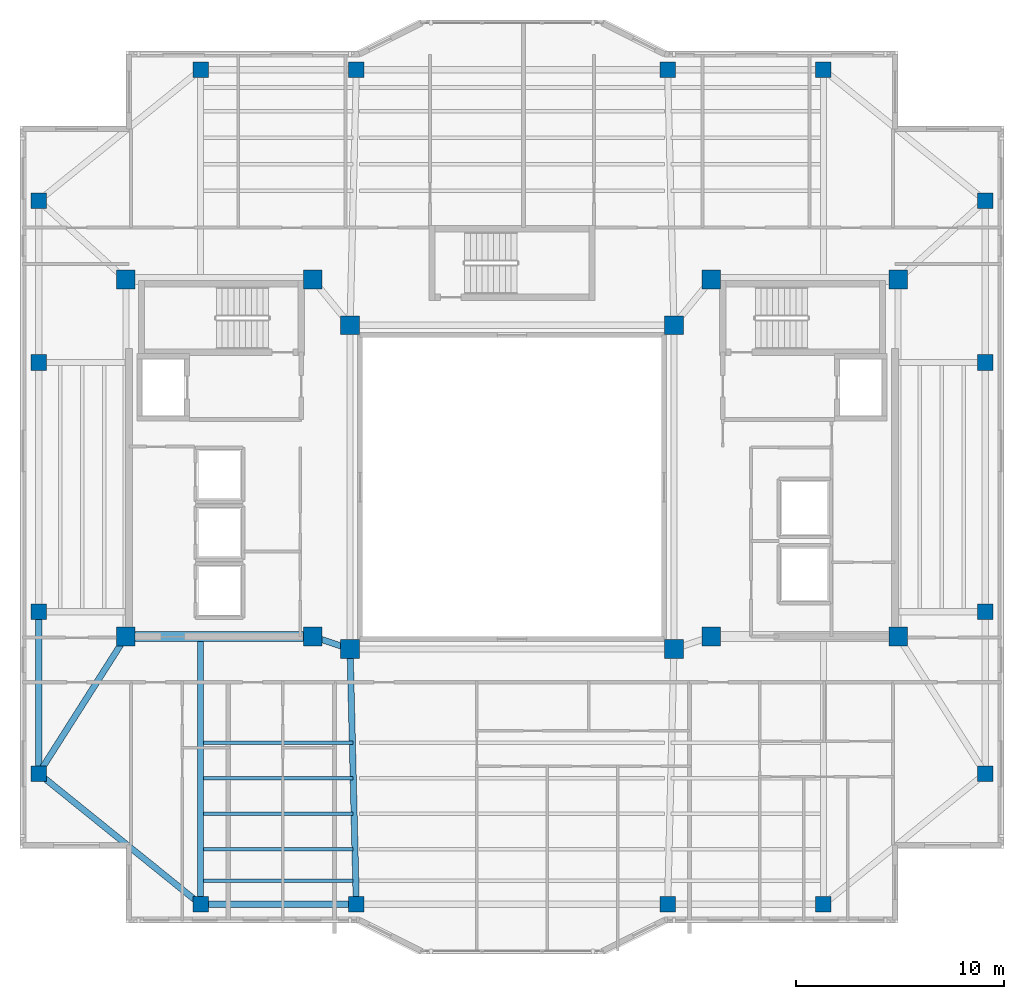
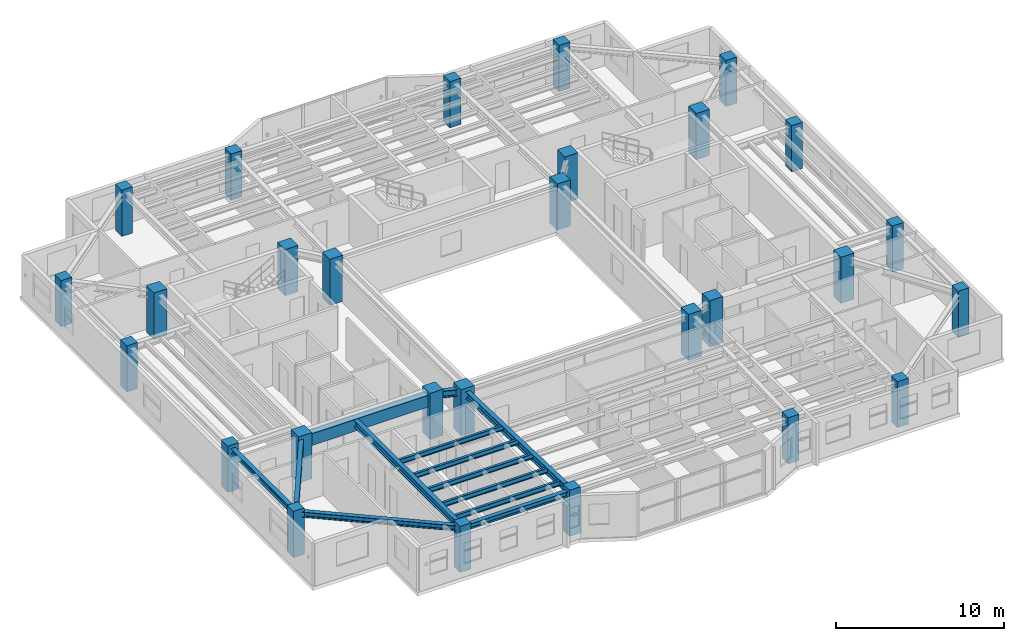
# One storey, part 1 of 14: 28 columns, 13 beams.
"""IFC4 building model written with IfcOpenShell, lengths in metres."""

from ifc_helpers import new_model, si_unit, direction, frame, origin, origin_2d, place, context, subcontext, project, spatial, rectangle, i_section, extrude, material, material_profile, profile_set, type_object, element, save


model = new_model("IFC4")

# Units and contexts
model_context = context("Model", 3, precision=1e-05, world=origin(), true_north=direction((0.0, 1.0)))
body_context = subcontext(model_context, "Body", "Model", "MODEL_VIEW")
ifc_project = project(units=[si_unit("LENGTHUNIT", "METRE"), si_unit("AREAUNIT", "SQUARE_METRE"), si_unit("VOLUMEUNIT", "CUBIC_METRE"), si_unit("PLANEANGLEUNIT", "RADIAN"), si_unit("MASSUNIT", "GRAM", prefix="KILO")], contexts=[model_context])

# Site, building, storey
site_placement = place(None, origin())
site = spatial("IfcSite", under=ifc_project, at=site_placement, CompositionType="ELEMENT")
building_placement = place(site_placement, origin())
building = spatial("IfcBuilding", under=site, at=building_placement, Name="Tarnavaz Court Tower", CompositionType="ELEMENT")
storey_placement = place(building_placement, frame((0.0, 0.0, 190.25)))
storey = spatial("IfcBuildingStorey", under=building, at=storey_placement, Name="L51", CompositionType="ELEMENT", Elevation=190.25)

# Columns
ifc_material_1 = material(Name="Concrete C50/60", Category="concrete")
ifc_material_profile_1 = material_profile(ifc_material_1, rectangle(XDim=0.75, YDim=0.75, at=origin_2d()), Name="RC 750X750")
ifc_profile_set_1 = profile_set([ifc_material_profile_1], Name="Concrete C50/60")
column_type_1 = type_object("IfcColumnType", Name="CL-RC750", PredefinedType="COLUMN", material=ifc_profile_set_1)
for number, where, z_axis, x_axis, name in (
    (1, (-15.0, 20.10009765625, 0.0), (0.0, 0.0, 1.0), (1.0, 0.0, 0.0), "L51 Column PN-1"),
    (2, (-7.5, 20.10009765625, 0.0), (0.0, 0.0, 1.0), (1.0, 0.0, 0.0), "L51 Column PN-2"),
    (3, (7.5, 20.10009765625, 0.0), (0.0, 0.0, 1.0), (1.0, 0.0, 0.0), "L51 Column PN-3"),
    (4, (15.0, 20.10009765625, 0.0), (0.0, 0.0, 1.0), (1.0, 0.0, 0.0), "L51 Column PN-4"),
    (5, (-15.0, -20.10009765625, 0.0), (0.0, 0.0, 1.0), (1.0, 0.0, 0.0), "L51 Column PS-1"),
    (6, (-7.5, -20.10009765625, 0.0), (0.0, 0.0, 1.0), (1.0, 0.0, 0.0), "L51 Column PS-2"),
    (7, (7.5, -20.10009765625, 0.0), (0.0, 0.0, 1.0), (1.0, 0.0, 0.0), "L51 Column PS-3"),
    (8, (15.0, -20.10009765625, 0.0), (0.0, 0.0, 1.0), (1.0, 0.0, 0.0), "L51 Column PS-4"),
    (9, (22.800048828125, -13.800048828125, 0.0), (0.0, 0.0, 1.0), (1.0, 0.0, 0.0), "L51 Column PE-1"),
    (10, (22.800048828125, -6.0, 0.0), (0.0, 0.0, 1.0), (1.0, 0.0, 0.0), "L51 Column PE-2"),
    (11, (22.800048828125, 6.0, 0.0), (0.0, 0.0, 1.0), (1.0, 0.0, 0.0), "L51 Column PE-3"),
    (12, (22.800048828125, 13.800048828125, 0.0), (0.0, 0.0, 1.0), (1.0, 0.0, 0.0), "L51 Column PE-4"),
    (13, (-22.800048828125, -13.800048828125, 0.0), (0.0, 0.0, 1.0), (1.0, 0.0, 0.0), "L51 Column PW-1"),
    (14, (-22.800048828125, -6.0, 0.0), (0.0, 0.0, 1.0), (1.0, 0.0, 0.0), "L51 Column PW-2"),
    (15, (-22.800048828125, 6.0, 0.0), (0.0, 0.0, 1.0), (1.0, 0.0, 0.0), "L51 Column PW-3"),
    (16, (-22.800048828125, 13.800048828125, 0.0), (0.0, 0.0, 1.0), (1.0, 0.0, 0.0), "L51 Column PW-4"),
):
    element("IfcColumn", number, at=place(storey_placement, frame(where, z_axis=z_axis, x_axis=x_axis)), inside=storey, type_object=column_type_1, Name=name, PredefinedType="COLUMN", context=body_context, shape_type="SweptSolid", body=[
        extrude(rectangle(XDim=0.75, YDim=0.75, at=origin_2d()), origin(), (0.0, 0.0, 1.0), 3.35009765625),
    ])
ifc_material_profile_2 = material_profile(ifc_material_1, rectangle(XDim=0.89990234375, YDim=0.89990234375, at=origin_2d()), Name="RC 900X900")
ifc_profile_set_2 = profile_set([ifc_material_profile_2], Name="Concrete C50/60")
column_type_2 = type_object("IfcColumnType", Name="CL-RC900", PredefinedType="COLUMN", material=ifc_profile_set_2)
for number, where, z_axis, x_axis, name in (
    (17, (-7.800048828125, -7.800048828125, 0.0), (0.0, 0.0, 1.0), (1.0, 0.0, 0.0), "L51 Column IW-SW"),
    (18, (7.800048828125, -7.800048828125, 0.0), (0.0, 0.0, 1.0), (1.0, 0.0, 0.0), "L51 Column IW-SE"),
    (19, (-7.800048828125, 7.800048828125, 0.0), (0.0, 0.0, 1.0), (1.0, 0.0, 0.0), "L51 Column IW-NW"),
    (20, (7.800048828125, 7.800048828125, 0.0), (0.0, 0.0, 1.0), (1.0, 0.0, 0.0), "L51 Column IW-NE"),
    (21, (-9.60009765625, -7.199951171875, 0.0), (0.0, 0.0, 1.0), (1.0, 0.0, 0.0), "L51 Column CW-SI"),
    (22, (-9.60009765625, 10.0, 0.0), (0.0, 0.0, 1.0), (1.0, 0.0, 0.0), "L51 Column CW-NI"),
    (23, (9.60009765625, -7.199951171875, 0.0), (0.0, 0.0, 1.0), (1.0, 0.0, 0.0), "L51 Column CE-SI"),
    (24, (9.60009765625, 10.0, 0.0), (0.0, 0.0, 1.0), (1.0, 0.0, 0.0), "L51 Column CE-NI"),
    (25, (-18.60009765625, -7.199951171875, 0.0), (0.0, 0.0, 1.0), (1.0, 0.0, 0.0), "L51 Column CW-SO"),
    (26, (-18.60009765625, 10.0, 0.0), (0.0, 0.0, 1.0), (1.0, 0.0, 0.0), "L51 Column CW-NO"),
    (27, (18.60009765625, -7.199951171875, 0.0), (0.0, 0.0, 1.0), (1.0, 0.0, 0.0), "L51 Column CE-SO"),
    (28, (18.60009765625, 10.0, 0.0), (0.0, 0.0, 1.0), (1.0, 0.0, 0.0), "L51 Column CE-NO"),
):
    element("IfcColumn", number, at=place(storey_placement, frame(where, z_axis=z_axis, x_axis=x_axis)), inside=storey, type_object=column_type_2, Name=name, PredefinedType="COLUMN", context=body_context, shape_type="SweptSolid", body=[
        extrude(rectangle(XDim=0.89990234375, YDim=0.89990234375, at=origin_2d()), origin(), (0.0, 0.0, 1.0), 3.35009765625),
    ])

# Beams
ifc_material_profile_3 = material_profile(ifc_material_1, rectangle(XDim=0.5, YDim=0.85009765625, at=origin_2d()), Name="RC 500X850")
ifc_profile_set_3 = profile_set([ifc_material_profile_3], Name="Concrete C50/60")
beam_type_1 = type_object("IfcBeamType", Name="BM-CB850", PredefinedType="LINTEL", material=ifc_profile_set_3)
beam_1_placement = place(storey_placement, frame((-18.3798828125, -7.199951171875, 2.675048828125), z_axis=(1.0, 0.0, 0.0), x_axis=(0.0, 1.0, 0.0)))
element("IfcBeam", 29, at=beam_1_placement, inside=storey, type_object=beam_type_1, Name="L51 Beam IN-CW-SO-CW-SI", PredefinedType="LINTEL", context=body_context, shape_type="SweptSolid", body=[
    extrude(rectangle(XDim=0.5, YDim=0.85009765625, at=origin_2d()), origin(), (0.0, 0.0, 1.0), 8.559814453125),
])
ifc_material_2 = material(Name="Steel S355", Category="steel")
ifc_material_profile_4 = material_profile(ifc_material_2, i_section(OverallWidth=0.300048828125, OverallDepth=0.5, WebThickness=0.014404296875, FlangeThickness=0.028076171875, FilletRadius=0.027099609375, at=origin_2d()), Name="HEB 500")
ifc_profile_set_4 = profile_set([ifc_material_profile_4], Name="Steel S355")
beam_type_2 = type_object("IfcBeamType", Name="BM-G-HEB500", PredefinedType="USERDEFINED", material=ifc_profile_set_4)
beam_2_placement = place(storey_placement, frame((-9.391357421875, -7.26953125, 2.85009765625), z_axis=(0.948666544706, -0.316278021615, 0.0), x_axis=(0.316278021615, 0.948666544706, 0.0)))
element("IfcBeam", 30, at=beam_2_placement, inside=storey, type_object=beam_type_2, Name="L51 Beam IN-CW-SI-IW-SW", ObjectType="GIRDER", PredefinedType="USERDEFINED", context=body_context, shape_type="SweptSolid", body=[
    extrude(i_section(OverallWidth=0.300048828125, OverallDepth=0.5, WebThickness=0.014404296875, FlangeThickness=0.028076171875, FilletRadius=0.027099609375, at=origin_2d()), origin(), (0.0, 0.0, 1.0), 1.457275390625),
])
beam_3_placement = place(storey_placement, frame((-15.0, -7.239990234375, 2.85009765625), z_axis=(0.0, -1.0, 0.0), x_axis=(1.0, 0.0, 0.0)))
element("IfcBeam", 31, at=beam_3_placement, inside=storey, type_object=beam_type_2, Name="L51 Beam RG-05", ObjectType="GIRDER", PredefinedType="USERDEFINED", context=body_context, shape_type="SweptSolid", body=[
    extrude(i_section(OverallWidth=0.300048828125, OverallDepth=0.5, WebThickness=0.014404296875, FlangeThickness=0.028076171875, FilletRadius=0.027099609375, at=origin_2d()), origin(), (0.0, 0.0, 1.0), 12.639892578125),
])
beam_4_placement = place(storey_placement, frame((-7.794677734375, -8.02001953125, 2.85009765625), z_axis=(0.024386002211, -0.99970261723, 0.0), x_axis=(0.99970261723, 0.024386002211, 0.0)))
element("IfcBeam", 32, at=beam_4_placement, inside=storey, type_object=beam_type_2, Name="L51 Beam RG-06", ObjectType="GIRDER", PredefinedType="USERDEFINED", context=body_context, shape_type="SweptSolid", body=[
    extrude(i_section(OverallWidth=0.300048828125, OverallDepth=0.5, WebThickness=0.014404296875, FlangeThickness=0.028076171875, FilletRadius=0.027099609375, at=origin_2d()), origin(), (0.0, 0.0, 1.0), 11.863525390625),
])
beam_5_placement = place(storey_placement, frame((-18.718017578125, -7.385498046875, 2.85009765625), z_axis=(-0.536871212964, -0.843664210863, 0.0), x_axis=(0.843664210863, -0.536871212964, 0.0)))
element("IfcBeam", 33, at=beam_5_placement, inside=storey, type_object=beam_type_2, Name="L51 Beam RG-15", ObjectType="GIRDER", PredefinedType="USERDEFINED", context=body_context, shape_type="SweptSolid", body=[
    extrude(i_section(OverallWidth=0.300048828125, OverallDepth=0.5, WebThickness=0.014404296875, FlangeThickness=0.028076171875, FilletRadius=0.027099609375, at=origin_2d()), origin(), (0.0, 0.0, 1.0), 7.38330078125),
])
ifc_material_profile_5 = material_profile(ifc_material_2, i_section(OverallWidth=0.169921875, OverallDepth=0.360107421875, WebThickness=0.008056640625, FlangeThickness=0.0126953125, FilletRadius=0.01806640625, at=origin_2d()), Name="IPE 360")
ifc_profile_set_5 = profile_set([ifc_material_profile_5], Name="Steel S355")
beam_type_3 = type_object("IfcBeamType", Name="BM-J-IPE360", PredefinedType="JOIST", material=ifc_profile_set_5)
for number, where, z_axis, x_axis, name in (
    (34, (-14.85009765625, -12.31005859375, 2.919921875), (1.0, 0.0, 0.0), (0.0, 1.0, 0.0), "L51 Beam JS1-1"),
    (35, (-14.85009765625, -14.02001953125, 2.919921875), (1.0, 0.0, 0.0), (0.0, 1.0, 0.0), "L51 Beam JS2-1"),
    (36, (-14.85009765625, -15.72998046875, 2.919921875), (1.0, 0.0, 0.0), (0.0, 1.0, 0.0), "L51 Beam JS3-1"),
    (37, (-14.85009765625, -17.43994140625, 2.919921875), (1.0, 0.0, 0.0), (0.0, 1.0, 0.0), "L51 Beam JS4-1"),
    (38, (-14.85009765625, -18.9599609375, 2.919921875), (1.0, 0.0, 0.0), (0.0, 1.0, 0.0), "L51 Beam JS5-1"),
):
    element("IfcBeam", number, at=place(storey_placement, frame(where, z_axis=z_axis, x_axis=x_axis)), inside=storey, type_object=beam_type_3, Name=name, PredefinedType="JOIST", context=body_context, shape_type="SweptSolid", body=[
        extrude(i_section(OverallWidth=0.169921875, OverallDepth=0.360107421875, WebThickness=0.008056640625, FlangeThickness=0.0126953125, FilletRadius=0.01806640625, at=origin_2d()), origin(), (0.0, 0.0, 1.0), 7.2001953125),
    ])
ifc_material_profile_6 = material_profile(ifc_material_2, i_section(OverallWidth=0.300048828125, OverallDepth=0.389892578125, WebThickness=0.010986328125, FlangeThickness=0.01904296875, FilletRadius=0.027099609375, at=origin_2d()), Name="HEA 400")
ifc_profile_set_6 = profile_set([ifc_material_profile_6], Name="Steel S355")
beam_type_4 = type_object("IfcBeamType", Name="BM-SP-HEA400", PredefinedType="BEAM", material=ifc_profile_set_6)
beam_6_placement = place(storey_placement, frame((-14.780029296875, -20.10009765625, 2.905029296875), z_axis=(1.0, 0.0, 0.0), x_axis=(0.0, 1.0, 0.0)))
element("IfcBeam", 39, at=beam_6_placement, inside=storey, type_object=beam_type_4, Name="L51 Beam PR-PS-1-PS-2", PredefinedType="BEAM", context=body_context, shape_type="SweptSolid", body=[
    extrude(i_section(OverallWidth=0.300048828125, OverallDepth=0.389892578125, WebThickness=0.010986328125, FlangeThickness=0.01904296875, FilletRadius=0.027099609375, at=origin_2d()), origin(), (0.0, 0.0, 1.0), 7.06005859375),
])
beam_7_placement = place(storey_placement, frame((-22.800048828125, -13.580078125, 2.905029296875), z_axis=(0.0, 1.0, 0.0), x_axis=(-1.0, 0.0, 0.0)))
element("IfcBeam", 40, at=beam_7_placement, inside=storey, type_object=beam_type_4, Name="L51 Beam PR-PW-1-PW-2", PredefinedType="BEAM", context=body_context, shape_type="SweptSolid", body=[
    extrude(i_section(OverallWidth=0.300048828125, OverallDepth=0.389892578125, WebThickness=0.010986328125, FlangeThickness=0.01904296875, FilletRadius=0.027099609375, at=origin_2d()), origin(), (0.0, 0.0, 1.0), 7.360107421875),
])
beam_8_placement = place(storey_placement, frame((-15.171142578125, -19.9619140625, 2.905029296875), z_axis=(-0.777935913531, 0.628343627674, 0.0), x_axis=(-0.628343627674, -0.777935913531, 0.0)))
element("IfcBeam", 41, at=beam_8_placement, inside=storey, type_object=beam_type_4, Name="L51 Beam PR-PS-1-PW-1", PredefinedType="BEAM", context=body_context, shape_type="SweptSolid", body=[
    extrude(i_section(OverallWidth=0.300048828125, OverallDepth=0.389892578125, WebThickness=0.010986328125, FlangeThickness=0.01904296875, FilletRadius=0.027099609375, at=origin_2d()), origin(), (0.0, 0.0, 1.0), 9.586669921875),
])

save(model, "model.ifc")
